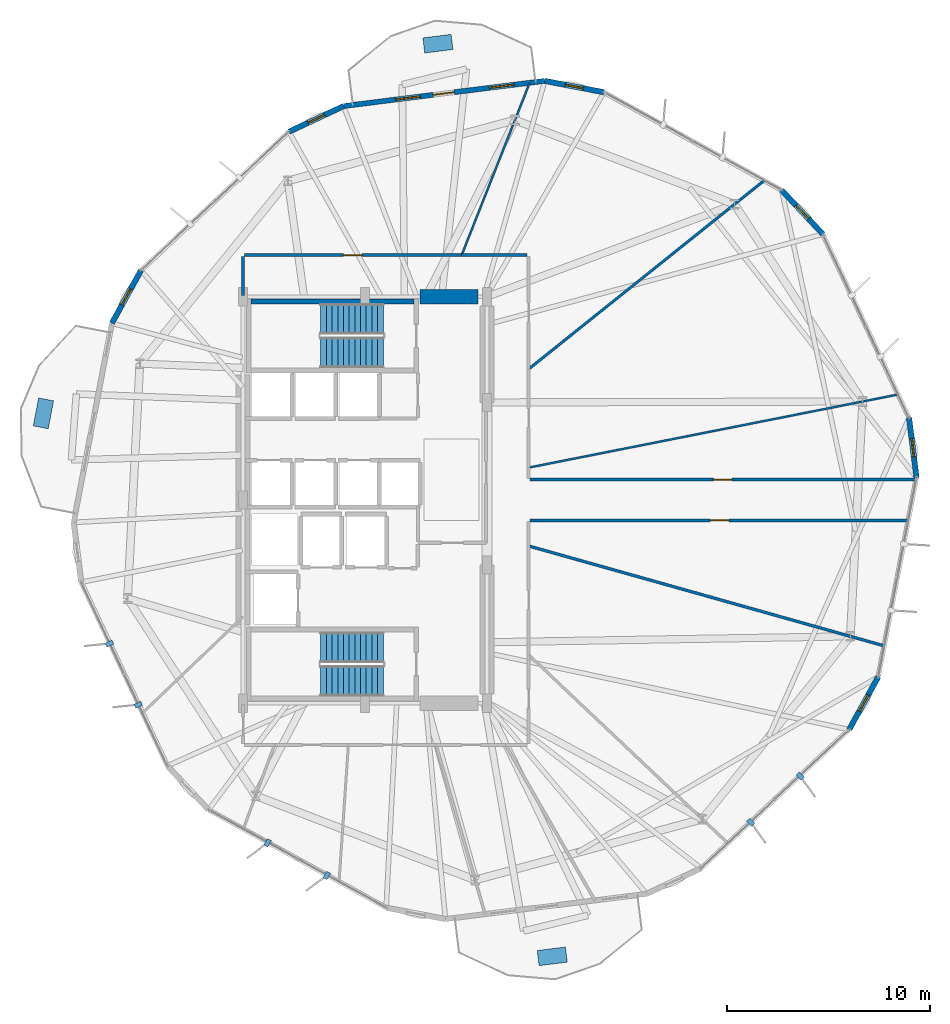
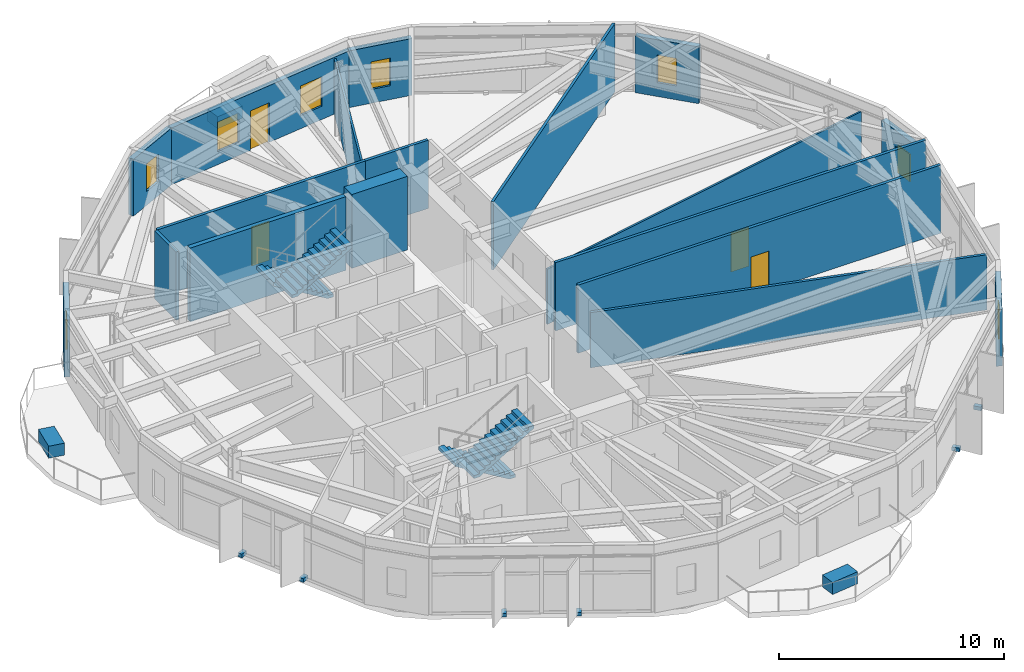
# One storey, part 18 of 22: 18 walls, 9 discrete accessories, 8 windows, 4 doors, 4 stair flights, 12 openings, 2 elements without a shape of their own.
"""IFC4 building model written with IfcOpenShell, lengths in metres."""

import ifcopenshell
import ifcopenshell.guid

model = None  # the IFC model being written
_history = None  # IfcOwnerHistory: only IFC2X3 demands one
_inside = {}  # id of a spatial element -> (the spatial element, [elements in it])
_under = {}  # id of a project, library or spatial element -> (it, [spatial elements below it])
_declared = {}  # id of a project -> (the project, [libraries it declares])
_typed = {}  # id of a type object -> (the type object, [elements of that type])
_made_of = {}  # id of a material, layer set ... -> (it, [elements and type objects made of it])


def new_model(schema):
    """Start an empty IFC model of exactly this schema.

    Asked for "IFC4X3", IfcOpenShell would pick the latest addendum, in which some entities
    have other attributes; the version numbers below select the first issue.
    IFC2X3 requires an IfcOwnerHistory on every rooted entity: one is made here for all.
    """
    global model, _history
    if schema == "IFC4X3":
        model = ifcopenshell.file(schema_version=(4, 3, 0, 0))
    else:
        model = ifcopenshell.file(schema=schema)
    _inside.clear()
    _under.clear()
    _declared.clear()
    _typed.clear()
    _made_of.clear()
    _history = None
    if model.schema == "IFC2X3":
        org = make("IfcOrganization", Name="unknown")
        user = make(
            "IfcPersonAndOrganization",
            ThePerson=make("IfcPerson", FamilyName="unknown"),
            TheOrganization=org,
        )
        app = make(
            "IfcApplication",
            ApplicationDeveloper=org,
            Version="unknown",
            ApplicationFullName="unknown",
            ApplicationIdentifier="unknown",
        )
        _history = make(
            "IfcOwnerHistory",
            OwningUser=user,
            OwningApplication=app,
            ChangeAction="ADDED",
            CreationDate=0,
        )
    return model


def make(cls, **values):
    """One entity of the class cls with the attributes given. An attribute that is None is left unset."""
    return model.create_entity(
        cls, **{name: value for name, value in values.items() if value is not None}
    )


def rooted(cls, **values):
    """An entity with a GlobalId (a new one), such as an element, a storey or a relation."""
    return make(cls, GlobalId=ifcopenshell.guid.new(), OwnerHistory=_history, **values)


def si_unit(unit_type, name, prefix=None):
    """IfcSIUnit, for example si_unit("LENGTHUNIT", "METRE", prefix="MILLI")."""
    return make("IfcSIUnit", UnitType=unit_type, Prefix=prefix, Name=name)


def assignment(units):
    """IfcUnitAssignment: the units of a project."""
    return None if units is None else make("IfcUnitAssignment", Units=units)


def point(xyz):
    """IfcCartesianPoint."""
    return None if xyz is None else make("IfcCartesianPoint", Coordinates=xyz)


def direction(xyz):
    """IfcDirection."""
    return None if xyz is None else make("IfcDirection", DirectionRatios=xyz)


def frame(location, z_axis=None, x_axis=None):
    """IfcAxis2Placement3D, a coordinate frame: its origin and axes. An axis left out is left unset."""
    return make(
        "IfcAxis2Placement3D",
        Location=point(location),
        Axis=direction(z_axis),
        RefDirection=direction(x_axis),
    )


def frame_2d(location, x_axis=None):
    """IfcAxis2Placement2D, a coordinate frame in the plane: its origin and x axis."""
    return make(
        "IfcAxis2Placement2D", Location=point(location), RefDirection=direction(x_axis)
    )


def origin():
    """The frame at (0, 0, 0) with its axes left unset."""
    return frame((0.0, 0.0, 0.0))


def origin_2d():
    """The frame at (0, 0) in the plane with its x axis left unset."""
    return frame_2d((0.0, 0.0))


def place(relative_to, where):
    """IfcLocalPlacement: puts the frame where relative to a parent placement (None: the world)."""
    return make(
        "IfcLocalPlacement", PlacementRelTo=relative_to, RelativePlacement=where
    )


def context(
    kind, dimensions, precision=None, world=None, true_north=None, identifier=None
):
    """IfcGeometricRepresentationContext, for example the 3D "Model" context."""
    return make(
        "IfcGeometricRepresentationContext",
        ContextIdentifier=identifier,
        ContextType=kind,
        CoordinateSpaceDimension=dimensions,
        Precision=precision,
        WorldCoordinateSystem=world,
        TrueNorth=true_north,
    )


def subcontext(parent, identifier, kind, view, scale=None):
    """IfcGeometricRepresentationSubContext, for example "Body" below "Model"."""
    return make(
        "IfcGeometricRepresentationSubContext",
        ContextIdentifier=identifier,
        ContextType=kind,
        ParentContext=parent,
        TargetScale=scale,
        TargetView=view,
    )


def project(units=None, contexts=None):
    """IfcProject with its units and contexts."""
    return rooted(
        "IfcProject",
        Name="project",
        RepresentationContexts=contexts,
        UnitsInContext=assignment(units),
    )


def spatial(cls, under=None, at=None, **own):
    """A site, building, storey or space (cls), placed at a placement, below another one or the project."""
    s = rooted(cls, ObjectPlacement=at, **own)
    if under is not None:
        _under.setdefault(under.id(), (under, []))[1].append(s)
    return s


def polyline(points):
    """IfcPolyline through the points."""
    return make("IfcPolyline", Points=[point(p) for p in points])


def profile(cls, at=None, kind="AREA", **sizes):
    """A parametric profile (cls). Its sizes go by their IFC names, for example OverallWidth=200.0."""
    return make(cls, ProfileType=kind, Position=at, **sizes)


def rectangle(**sizes):
    """IfcRectangleProfileDef."""
    return profile("IfcRectangleProfileDef", **sizes)


def outline(outer, holes=None, kind="AREA"):
    """IfcArbitraryClosedProfileDef: a profile drawn as a closed curve; with holes, ...WithVoids."""
    if holes is None:
        return make("IfcArbitraryClosedProfileDef", ProfileType=kind, OuterCurve=outer)
    return make(
        "IfcArbitraryProfileDefWithVoids",
        ProfileType=kind,
        OuterCurve=outer,
        InnerCurves=holes,
    )


def extrude(swept, where, along, depth):
    """IfcExtrudedAreaSolid: the profile swept, set in the frame where, extruded along a direction by depth."""
    return make(
        "IfcExtrudedAreaSolid",
        SweptArea=swept,
        Position=where,
        ExtrudedDirection=direction(along),
        Depth=depth,
    )


def shape(context_of_items, identifier, shape_type, items):
    """IfcShapeRepresentation: the items that make up one representation, for example the "Body"."""
    return make(
        "IfcShapeRepresentation",
        ContextOfItems=context_of_items,
        RepresentationIdentifier=identifier,
        RepresentationType=shape_type,
        Items=items,
    )


def material(Name=None, Category=None):
    """IfcMaterial."""
    return make("IfcMaterial", Name=Name, Category=Category)


def layer(
    of_material, thickness, ventilated=None, Name=None, Category=None, Priority=None
):
    """IfcMaterialLayer: one layer of a wall or slab, of a material (None: an air gap)."""
    return make(
        "IfcMaterialLayer",
        Material=of_material,
        LayerThickness=thickness,
        IsVentilated=ventilated,
        Name=Name,
        Category=Category,
        Priority=Priority,
    )


def layer_set(layers, Name=None):
    """IfcMaterialLayerSet."""
    return make("IfcMaterialLayerSet", MaterialLayers=layers, LayerSetName=Name)


def made_of(thing, what):
    """Note that an element or type object is made of a material, layer set ...; save() writes the relation."""
    if what is not None:
        _made_of.setdefault(what.id(), (what, []))[1].append(thing)
    return thing


def type_object(cls, material=None, **own):
    """A type object (cls), such as IfcWallType, which elements share."""
    return made_of(rooted(cls, **own), material)


def element(
    cls,
    number,
    at=None,
    inside=None,
    cuts=None,
    type_object=None,
    material=None,
    context=None,
    identifier="Body",
    shape_type=None,
    held_by="IfcProductDefinitionShape",
    body=None,
    shapes=None,
    **own,
):
    """One element of the class cls, such as IfcWall. Its Tag is "e" and its number.

    at: its placement. inside: the storey or other place that contains it. cuts: it is an
    opening in that element (IfcRelVoidsElement). A single representation is given by context,
    identifier, shape_type and body (its items); several are given by shapes. held_by: the class
    of the entity that holds the representations. save() writes the other relations.
    """
    e = rooted(cls, Tag="e%d" % number, ObjectPlacement=at, **own)
    if body is not None:
        shapes = [shape(context, identifier, shape_type, body)]
    if shapes is not None:
        e.Representation = make(held_by, Representations=shapes)
    if inside is not None:
        _inside.setdefault(inside.id(), (inside, []))[1].append(e)
    if cuts is not None:
        rooted(
            "IfcRelVoidsElement", RelatingBuildingElement=cuts, RelatedOpeningElement=e
        )
    if type_object is not None:
        _typed.setdefault(type_object.id(), (type_object, []))[1].append(e)
    return made_of(e, material)


def fill(opening, filler):
    """IfcRelFillsElement: the door or window that sits in an opening."""
    return rooted(
        "IfcRelFillsElement",
        RelatingOpeningElement=opening,
        RelatedBuildingElement=filler,
    )


def aggregate(whole, parts):
    """IfcRelAggregates: a whole, such as a stair, and the parts it consists of."""
    return rooted("IfcRelAggregates", RelatingObject=whole, RelatedObjects=parts)


def save(model, path):
    """Write the relations noted so far, then the file.

    IfcRelAggregates (storeys below a building ...), IfcRelContainedInSpatialStructure (elements
    in a storey), IfcRelDefinesByType, IfcRelAssociatesMaterial and IfcRelDeclares: one each for
    every whole, place, type object, material and project.
    """
    for whole, parts in _under.values():
        aggregate(whole, parts)
    for where, things in _inside.values():
        rooted(
            "IfcRelContainedInSpatialStructure",
            RelatedElements=things,
            RelatingStructure=where,
        )
    for kind, things in _typed.values():
        rooted("IfcRelDefinesByType", RelatedObjects=things, RelatingType=kind)
    for what, things in _made_of.values():
        rooted("IfcRelAssociatesMaterial", RelatedObjects=things, RelatingMaterial=what)
    for by, libraries in _declared.values():
        rooted("IfcRelDeclares", RelatingContext=by, RelatedDefinitions=libraries)
    model.write(path)


model = new_model("IFC4")

# Units and contexts
model_context = context("Model", 3, precision=1e-05, world=origin(), true_north=direction((0.0, 1.0)))
body_context = subcontext(model_context, "Body", "Model", "MODEL_VIEW")
ifc_project = project(units=[si_unit("LENGTHUNIT", "METRE"), si_unit("AREAUNIT", "SQUARE_METRE"), si_unit("VOLUMEUNIT", "CUBIC_METRE"), si_unit("PLANEANGLEUNIT", "RADIAN"), si_unit("MASSUNIT", "GRAM", prefix="KILO")], contexts=[model_context])

# Site, building, storey
site_placement = place(None, origin())
site = spatial("IfcSite", under=ifc_project, at=site_placement, CompositionType="ELEMENT")
building_placement = place(site_placement, origin())
building = spatial("IfcBuilding", under=site, at=building_placement, Name="Soratama Intermodal Tower", CompositionType="ELEMENT")
storey_placement = place(building_placement, frame((0.0, 0.0, 54.60009765625)))
storey = spatial("IfcBuildingStorey", under=building, at=storey_placement, Name="L12", CompositionType="ELEMENT", Elevation=54.60009765625)

# Wall, openings, door, windows
ifc_material_1 = material(Name="Concrete f'c 42 MPa", Category="concrete")
ifc_layer_1 = layer(ifc_material_1, 0.25)
ifc_layer_set_1 = layer_set([ifc_layer_1], Name="Concrete f'c 42 MPa")
wall_type_1 = type_object("IfcWallType", Name="EW-BAL-250", PredefinedType="SOLIDWALL", material=ifc_layer_set_1)
wall_1_placement = place(storey_placement, frame((47.445556640625, 45.6201171875, 0.0), z_axis=(0.0, 0.0, 1.0), x_axis=(-0.992243587308, -0.124308742439, 0.0)))
wall_1 = element("IfcWall", 1, at=wall_1_placement, inside=storey, type_object=wall_type_1, Name="L12 Terrace Wall F03", PredefinedType="SOLIDWALL", context=body_context, shape_type="SweptSolid", body=[
    extrude(rectangle(XDim=9.97900390625, YDim=0.25, at=frame_2d((4.989501953125, 0.0))), origin(), (0.0, 0.0, 1.0), 3.078857421875),
])
opening_1_placement = place(wall_1_placement, frame((4.489501953125, 0.0, 0.0)))
opening_1 = element("IfcOpeningElement", 2, at=opening_1_placement, cuts=wall_1, Name="Opening ED-5", PredefinedType="OPENING", context=body_context, shape_type="SweptSolid", body=[
    extrude(rectangle(XDim=1.050048828125, YDim=2.14990234375, at=frame_2d((0.52490234375, 1.074951171875))), frame((0.0, 0.135009765625, 0.0), z_axis=(0.0, -1.0, 0.0), x_axis=(1.0, 0.0, 0.0)), (0.0, 0.0, 1.0), 0.27001953125),
])
opening_2_placement = place(wall_1_placement, frame((1.544921875, 0.0, 0.719970703125)))
opening_2 = element("IfcOpeningElement", 3, at=opening_2_placement, cuts=wall_1, Name="Opening WN-2", PredefinedType="OPENING", context=body_context, shape_type="SweptSolid", body=[
    extrude(rectangle(XDim=1.199951171875, YDim=1.60009765625, at=frame_2d((0.60009765625, 0.800048828125))), frame((0.0, 0.135009765625, 0.0), z_axis=(0.0, -1.0, 0.0), x_axis=(1.0, 0.0, 0.0)), (0.0, 0.0, 1.0), 0.27001953125),
])
opening_3_placement = place(wall_1_placement, frame((6.179443359375, 0.0, 0.719970703125)))
opening_3 = element("IfcOpeningElement", 4, at=opening_3_placement, cuts=wall_1, Name="Opening WN-2", PredefinedType="OPENING", context=body_context, shape_type="SweptSolid", body=[
    extrude(rectangle(XDim=1.199951171875, YDim=1.60009765625, at=frame_2d((0.60009765625, 0.800048828125))), frame((0.0, 0.135009765625, 0.0), z_axis=(0.0, -1.0, 0.0), x_axis=(1.0, 0.0, 0.0)), (0.0, 0.0, 1.0), 0.27001953125),
])
ifc_material_2 = material(Name="Double-glazed aluminium door", Category="aluminium")
door_type_1 = type_object("IfcDoorType", Name="DR-BAL-1050", OperationType="NOTDEFINED", PredefinedType="DOOR", material=ifc_material_2)
door_1_placement = place(opening_1_placement, origin())
door_1 = element("IfcDoor", 5, at=door_1_placement, inside=storey, type_object=door_type_1, Name="L12 Balcony Door F03", OperationType="SINGLE_SWING_LEFT", OverallHeight=2.14990234375, OverallWidth=1.050048828125, PredefinedType="DOOR", context=body_context, shape_type="SweptSolid", body=[
    extrude(rectangle(XDim=1.050048828125, YDim=2.14990234375, at=frame_2d((0.52490234375, 1.074951171875))), frame((0.0, 0.02490234375, 0.0), z_axis=(0.0, -1.0, 0.0), x_axis=(1.0, 0.0, 0.0)), (0.0, 0.0, 1.0), 0.050048828125),
])
fill(opening_1, door_1)
ifc_material_3 = material(Name="Double-glazed aluminium window", Category="aluminium")
window_type_1 = type_object("IfcWindowType", Name="WN-FAC-1200", PartitioningType="SINGLE_PANEL", PredefinedType="WINDOW", material=ifc_material_3)
window_1_placement = place(opening_2_placement, origin())
window_1 = element("IfcWindow", 6, at=window_1_placement, inside=storey, type_object=window_type_1, Name="L12 Window A F03", OverallHeight=1.60009765625, OverallWidth=1.199951171875, PartitioningType="SINGLE_PANEL", PredefinedType="WINDOW", context=body_context, shape_type="SweptSolid", body=[
    extrude(rectangle(XDim=1.199951171875, YDim=1.60009765625, at=frame_2d((0.60009765625, 0.800048828125))), frame((0.0, 0.030029296875, 0.0), z_axis=(0.0, -1.0, 0.0), x_axis=(1.0, 0.0, 0.0)), (0.0, 0.0, 1.0), 0.06005859375),
])
fill(opening_2, window_1)
window_2_placement = place(opening_3_placement, origin())
window_2 = element("IfcWindow", 7, at=window_2_placement, inside=storey, type_object=window_type_1, Name="L12 Window B F03", OverallHeight=1.60009765625, OverallWidth=1.199951171875, PartitioningType="SINGLE_PANEL", PredefinedType="WINDOW", context=body_context, shape_type="SweptSolid", body=[
    extrude(rectangle(XDim=1.199951171875, YDim=1.60009765625, at=frame_2d((0.60009765625, 0.800048828125))), frame((0.0, 0.030029296875, 0.0), z_axis=(0.0, -1.0, 0.0), x_axis=(1.0, 0.0, 0.0)), (0.0, 0.0, 1.0), 0.06005859375),
])
fill(opening_3, window_2)

# Wall, opening, window
ifc_material_4 = material(Name="Concrete f'c 42 MPa", Category="concrete")
ifc_layer_2 = layer(ifc_material_4, 0.27001953125)
ifc_layer_set_2 = layer_set([ifc_layer_2], Name="Concrete f'c 42 MPa")
wall_type_2 = type_object("IfcWallType", Name="EW-CRN-270", PredefinedType="SOLIDWALL", material=ifc_layer_set_2)
wall_2_placement = place(storey_placement, frame((61.127197265625, 38.079833984375, 0.0), z_axis=(0.0, 0.0, 1.0), x_axis=(-0.683815190571, 0.729655250885, 0.0)))
wall_2 = element("IfcWall", 8, at=wall_2_placement, inside=storey, type_object=wall_type_2, Name="L12 Corner Closure Wall 01", PredefinedType="SOLIDWALL", context=body_context, shape_type="SweptSolid", body=[
    extrude(rectangle(XDim=2.966552734375, YDim=0.27001953125, at=frame_2d((1.4833984375, 0.0))), origin(), (0.0, 0.0, 1.0), 3.078857421875),
])
opening_4_placement = place(wall_2_placement, frame((1.033203125, 0.0, 0.75)))
opening_4 = element("IfcOpeningElement", 9, at=opening_4_placement, cuts=wall_2, Name="Opening WN-6", PredefinedType="OPENING", context=body_context, shape_type="SweptSolid", body=[
    extrude(rectangle(XDim=0.89990234375, YDim=1.5, at=frame_2d((0.449951171875, 0.75))), frame((0.0, 0.14501953125, 0.0), z_axis=(0.0, -1.0, 0.0), x_axis=(1.0, 0.0, 0.0)), (0.0, 0.0, 1.0), 0.2900390625),
])
ifc_material_5 = material(Name="Double-glazed aluminium window", Category="aluminium")
window_type_2 = type_object("IfcWindowType", Name="WN-FAC-900", PartitioningType="SINGLE_PANEL", PredefinedType="WINDOW", material=ifc_material_5)
window_3_placement = place(opening_4_placement, origin())
window_3 = element("IfcWindow", 10, at=window_3_placement, inside=storey, type_object=window_type_2, Name="L12 Corner Window 01", OverallHeight=1.5, OverallWidth=0.89990234375, PartitioningType="SINGLE_PANEL", PredefinedType="WINDOW", context=body_context, shape_type="SweptSolid", body=[
    extrude(rectangle(XDim=0.89990234375, YDim=1.5, at=frame_2d((0.449951171875, 0.75))), frame((0.0, 0.030029296875, 0.0), z_axis=(0.0, -1.0, 0.0), x_axis=(1.0, 0.0, 0.0)), (0.0, 0.0, 1.0), 0.06005859375),
])
fill(opening_4, window_3)

wall_3_placement = place(storey_placement, frame((50.35888671875, 45.061279296875, 0.0), z_axis=(0.0, 0.0, 1.0), x_axis=(-0.982094979425, 0.188386441624, 0.0)))
wall_3 = element("IfcWall", 11, at=wall_3_placement, inside=storey, type_object=wall_type_2, Name="L12 Corner Closure Wall 02", PredefinedType="SOLIDWALL", context=body_context, shape_type="SweptSolid", body=[
    extrude(rectangle(XDim=2.966552734375, YDim=0.27001953125, at=frame_2d((1.4833984375, 0.0))), origin(), (0.0, 0.0, 1.0), 3.078857421875),
])
opening_5_placement = place(wall_3_placement, frame((1.033203125, 0.0, 0.75)))
opening_5 = element("IfcOpeningElement", 12, at=opening_5_placement, cuts=wall_3, Name="Opening WN-6", PredefinedType="OPENING", context=body_context, shape_type="SweptSolid", body=[
    extrude(rectangle(XDim=0.89990234375, YDim=1.5, at=frame_2d((0.449951171875, 0.75))), frame((0.0, 0.14501953125, 0.0), z_axis=(0.0, -1.0, 0.0), x_axis=(1.0, 0.0, 0.0)), (0.0, 0.0, 1.0), 0.2900390625),
])
window_4_placement = place(opening_5_placement, origin())
window_4 = element("IfcWindow", 13, at=window_4_placement, inside=storey, type_object=window_type_2, Name="L12 Corner Window 02", OverallHeight=1.5, OverallWidth=0.89990234375, PartitioningType="SINGLE_PANEL", PredefinedType="WINDOW", context=body_context, shape_type="SweptSolid", body=[
    extrude(rectangle(XDim=0.89990234375, YDim=1.5, at=frame_2d((0.449951171875, 0.75))), frame((0.0, 0.030029296875, 0.0), z_axis=(0.0, -1.0, 0.0), x_axis=(1.0, 0.0, 0.0)), (0.0, 0.0, 1.0), 0.06005859375),
])
fill(opening_5, window_4)

wall_4_placement = place(storey_placement, frame((37.5439453125, 44.379638671875, 0.0), z_axis=(0.0, 0.0, 1.0), x_axis=(-0.905276993573, -0.424821803711, 0.0)))
wall_4 = element("IfcWall", 14, at=wall_4_placement, inside=storey, type_object=wall_type_2, Name="L12 Corner Closure Wall 03", PredefinedType="SOLIDWALL", context=body_context, shape_type="SweptSolid", body=[
    extrude(rectangle(XDim=2.966552734375, YDim=0.27001953125, at=frame_2d((1.4833984375, 0.0))), origin(), (0.0, 0.0, 1.0), 3.078857421875),
])
opening_6_placement = place(wall_4_placement, frame((1.033203125, 0.0, 0.75)))
opening_6 = element("IfcOpeningElement", 15, at=opening_6_placement, cuts=wall_4, Name="Opening WN-6", PredefinedType="OPENING", context=body_context, shape_type="SweptSolid", body=[
    extrude(rectangle(XDim=0.89990234375, YDim=1.5, at=frame_2d((0.449951171875, 0.75))), frame((0.0, 0.14501953125, 0.0), z_axis=(0.0, -1.0, 0.0), x_axis=(1.0, 0.0, 0.0)), (0.0, 0.0, 1.0), 0.2900390625),
])
window_5_placement = place(opening_6_placement, origin())
window_5 = element("IfcWindow", 16, at=window_5_placement, inside=storey, type_object=window_type_2, Name="L12 Corner Window 03", OverallHeight=1.5, OverallWidth=0.89990234375, PartitioningType="SINGLE_PANEL", PredefinedType="WINDOW", context=body_context, shape_type="SweptSolid", body=[
    extrude(rectangle(XDim=0.89990234375, YDim=1.5, at=frame_2d((0.449951171875, 0.75))), frame((0.0, 0.030029296875, 0.0), z_axis=(0.0, -1.0, 0.0), x_axis=(1.0, 0.0, 0.0)), (0.0, 0.0, 1.0), 0.06005859375),
])
fill(opening_6, window_5)

wall_5_placement = place(storey_placement, frame((27.57666015625, 36.2958984375, 0.0), z_axis=(0.0, 0.0, 1.0), x_axis=(-0.482670458227, -0.875802048841, 0.0)))
wall_5 = element("IfcWall", 17, at=wall_5_placement, inside=storey, type_object=wall_type_2, Name="L12 Corner Closure Wall 04", PredefinedType="SOLIDWALL", context=body_context, shape_type="SweptSolid", body=[
    extrude(rectangle(XDim=2.966552734375, YDim=0.27001953125, at=frame_2d((1.4833984375, 0.0))), origin(), (0.0, 0.0, 1.0), 3.078857421875),
])
opening_7_placement = place(wall_5_placement, frame((1.033203125, 0.0, 0.75)))
opening_7 = element("IfcOpeningElement", 18, at=opening_7_placement, cuts=wall_5, Name="Opening WN-6", PredefinedType="OPENING", context=body_context, shape_type="SweptSolid", body=[
    extrude(rectangle(XDim=0.89990234375, YDim=1.5, at=frame_2d((0.449951171875, 0.75))), frame((0.0, 0.14501953125, 0.0), z_axis=(0.0, -1.0, 0.0), x_axis=(1.0, 0.0, 0.0)), (0.0, 0.0, 1.0), 0.2900390625),
])
window_6_placement = place(opening_7_placement, origin())
window_6 = element("IfcWindow", 19, at=window_6_placement, inside=storey, type_object=window_type_2, Name="L12 Corner Window 04", OverallHeight=1.5, OverallWidth=0.89990234375, PartitioningType="SINGLE_PANEL", PredefinedType="WINDOW", context=body_context, shape_type="SweptSolid", body=[
    extrude(rectangle(XDim=0.89990234375, YDim=1.5, at=frame_2d((0.449951171875, 0.75))), frame((0.0, 0.030029296875, 0.0), z_axis=(0.0, -1.0, 0.0), x_axis=(1.0, 0.0, 0.0)), (0.0, 0.0, 1.0), 0.06005859375),
])
fill(opening_7, window_6)

wall_6_placement = place(storey_placement, frame((62.42333984375, 13.7041015625, 0.0), z_axis=(0.0, 0.0, 1.0), x_axis=(0.482670458227, 0.875802048841, 0.0)))
wall_6 = element("IfcWall", 20, at=wall_6_placement, inside=storey, type_object=wall_type_2, Name="L12 Corner Closure Wall 09", PredefinedType="SOLIDWALL", context=body_context, shape_type="SweptSolid", body=[
    extrude(rectangle(XDim=2.966552734375, YDim=0.27001953125, at=frame_2d((1.4833984375, 0.0))), origin(), (0.0, 0.0, 1.0), 3.078857421875),
])
opening_8_placement = place(wall_6_placement, frame((1.033203125, 0.0, 0.75)))
opening_8 = element("IfcOpeningElement", 21, at=opening_8_placement, cuts=wall_6, Name="Opening WN-6", PredefinedType="OPENING", context=body_context, shape_type="SweptSolid", body=[
    extrude(rectangle(XDim=0.89990234375, YDim=1.5, at=frame_2d((0.449951171875, 0.75))), frame((0.0, 0.14501953125, 0.0), z_axis=(0.0, -1.0, 0.0), x_axis=(1.0, 0.0, 0.0)), (0.0, 0.0, 1.0), 0.2900390625),
])
window_7_placement = place(opening_8_placement, origin())
window_7 = element("IfcWindow", 22, at=window_7_placement, inside=storey, type_object=window_type_2, Name="L12 Corner Window 09", OverallHeight=1.5, OverallWidth=0.89990234375, PartitioningType="SINGLE_PANEL", PredefinedType="WINDOW", context=body_context, shape_type="SweptSolid", body=[
    extrude(rectangle(XDim=0.89990234375, YDim=1.5, at=frame_2d((0.449951171875, 0.75))), frame((0.0, 0.030029296875, 0.0), z_axis=(0.0, -1.0, 0.0), x_axis=(1.0, 0.0, 0.0)), (0.0, 0.0, 1.0), 0.06005859375),
])
fill(opening_8, window_7)

wall_7_placement = place(storey_placement, frame((65.7353515625, 26.1025390625, 0.0), z_axis=(0.0, 0.0, 1.0), x_axis=(-0.124267693531, 0.992248729072, 0.0)))
wall_7 = element("IfcWall", 23, at=wall_7_placement, inside=storey, type_object=wall_type_2, Name="L12 Corner Closure Wall 10", PredefinedType="SOLIDWALL", context=body_context, shape_type="SweptSolid", body=[
    extrude(rectangle(XDim=2.966552734375, YDim=0.27001953125, at=frame_2d((1.4833984375, 0.0))), origin(), (0.0, 0.0, 1.0), 3.078857421875),
])
opening_9_placement = place(wall_7_placement, frame((1.033203125, 0.0, 0.75)))
opening_9 = element("IfcOpeningElement", 24, at=opening_9_placement, cuts=wall_7, Name="Opening WN-6", PredefinedType="OPENING", context=body_context, shape_type="SweptSolid", body=[
    extrude(rectangle(XDim=0.89990234375, YDim=1.5, at=frame_2d((0.449951171875, 0.75))), frame((0.0, 0.14501953125, 0.0), z_axis=(0.0, -1.0, 0.0), x_axis=(1.0, 0.0, 0.0)), (0.0, 0.0, 1.0), 0.2900390625),
])
window_8_placement = place(opening_9_placement, origin())
window_8 = element("IfcWindow", 25, at=window_8_placement, inside=storey, type_object=window_type_2, Name="L12 Corner Window 10", OverallHeight=1.5, OverallWidth=0.89990234375, PartitioningType="SINGLE_PANEL", PredefinedType="WINDOW", context=body_context, shape_type="SweptSolid", body=[
    extrude(rectangle(XDim=0.89990234375, YDim=1.5, at=frame_2d((0.449951171875, 0.75))), frame((0.0, 0.030029296875, 0.0), z_axis=(0.0, -1.0, 0.0), x_axis=(1.0, 0.0, 0.0)), (0.0, 0.0, 1.0), 0.06005859375),
])
fill(opening_9, window_8)

# Wall, opening, door
ifc_material_6 = material(Name="Fire-rated gypsum stud partition", Category="concrete")
ifc_layer_3 = layer(ifc_material_6, 0.14990234375)
ifc_layer_set_3 = layer_set([ifc_layer_3], Name="Fire-rated gypsum stud partition")
wall_type_3 = type_object("IfcWallType", Name="IW-PART-R150", PredefinedType="PARTITIONING", material=ifc_layer_set_3)
wall_8_placement = place(storey_placement, frame((46.719970703125, 26.0, 0.0), z_axis=(0.0, 0.0, 1.0), x_axis=(1.0, 0.0, 0.0)))
wall_8 = element("IfcWall", 26, at=wall_8_placement, inside=storey, type_object=wall_type_3, Name="L12 Partition W-L12-TP001", PredefinedType="PARTITIONING", context=body_context, shape_type="SweptSolid", body=[
    extrude(rectangle(XDim=18.99609375, YDim=0.14990234375, at=frame_2d((9.498046875, 0.0))), origin(), (0.0, 0.0, 1.0), 3.699951171875),
])
opening_10_placement = place(wall_8_placement, frame((9.02294921875, 0.0, 0.0)))
opening_10 = element("IfcOpeningElement", 27, at=opening_10_placement, cuts=wall_8, Name="Opening ID-6", PredefinedType="OPENING", context=body_context, shape_type="SweptSolid", body=[
    extrude(rectangle(XDim=0.919921875, YDim=2.1201171875, at=frame_2d((0.4599609375, 1.06005859375))), frame((0.0, 0.0849609375, 0.0), z_axis=(0.0, -1.0, 0.0), x_axis=(1.0, 0.0, 0.0)), (0.0, 0.0, 1.0), 0.169921875),
])
ifc_material_7 = material(Name="Solid hardwood acoustic door", Category="wood")
door_type_2 = type_object("IfcDoorType", Name="DR-ROOM-920", OperationType="NOTDEFINED", PredefinedType="DOOR", material=ifc_material_7)
door_2_placement = place(opening_10_placement, origin())
door_2 = element("IfcDoor", 28, at=door_2_placement, inside=storey, type_object=door_type_2, Name="L12 Door D-L12-TP001", OperationType="SINGLE_SWING_RIGHT", OverallHeight=2.1201171875, OverallWidth=0.919921875, PredefinedType="DOOR", context=body_context, shape_type="SweptSolid", body=[
    extrude(rectangle(XDim=0.919921875, YDim=2.1201171875, at=frame_2d((0.4599609375, 1.06005859375))), frame((0.0, 0.02490234375, 0.0), z_axis=(0.0, -1.0, 0.0), x_axis=(1.0, 0.0, 0.0)), (0.0, 0.0, 1.0), 0.050048828125),
])
fill(opening_10, door_2)

wall_9_placement = place(storey_placement, frame((65.33203125, 24.0, 0.0), z_axis=(0.0, 0.0, 1.0), x_axis=(-1.0, 0.0, 0.0)))
wall_9 = element("IfcWall", 29, at=wall_9_placement, inside=storey, type_object=wall_type_3, Name="L12 Partition W-L12-TP002", PredefinedType="PARTITIONING", context=body_context, shape_type="SweptSolid", body=[
    extrude(rectangle(XDim=18.612060546875, YDim=0.14990234375, at=frame_2d((9.30615234375, 0.0))), origin(), (0.0, 0.0, 1.0), 3.699951171875),
])
opening_11_placement = place(wall_9_placement, frame((8.8310546875, 0.0, 0.0)))
opening_11 = element("IfcOpeningElement", 30, at=opening_11_placement, cuts=wall_9, Name="Opening ID-6", PredefinedType="OPENING", context=body_context, shape_type="SweptSolid", body=[
    extrude(rectangle(XDim=0.919921875, YDim=2.1201171875, at=frame_2d((0.4599609375, 1.06005859375))), frame((0.0, 0.0849609375, 0.0), z_axis=(0.0, -1.0, 0.0), x_axis=(1.0, 0.0, 0.0)), (0.0, 0.0, 1.0), 0.169921875),
])
door_3_placement = place(opening_11_placement, origin())
door_3 = element("IfcDoor", 31, at=door_3_placement, inside=storey, type_object=door_type_2, Name="L12 Door D-L12-TP002", OperationType="SINGLE_SWING_LEFT", OverallHeight=2.1201171875, OverallWidth=0.919921875, PredefinedType="DOOR", context=body_context, shape_type="SweptSolid", body=[
    extrude(rectangle(XDim=0.919921875, YDim=2.1201171875, at=frame_2d((0.4599609375, 1.06005859375))), frame((0.0, 0.02490234375, 0.0), z_axis=(0.0, -1.0, 0.0), x_axis=(1.0, 0.0, 0.0)), (0.0, 0.0, 1.0), 0.050048828125),
])
fill(opening_11, door_3)

wall_10_placement = place(storey_placement, frame((32.669921875, 37.050048828125, 0.0), z_axis=(0.0, 0.0, 1.0), x_axis=(1.0, 0.0, 0.0)))
wall_10 = element("IfcWall", 32, at=wall_10_placement, inside=storey, type_object=wall_type_3, Name="L12 Partition W-L12-TP007", PredefinedType="PARTITIONING", context=body_context, shape_type="SweptSolid", body=[
    extrude(rectangle(XDim=10.68603515625, YDim=0.14990234375, at=frame_2d((5.343017578125, 0.0))), origin(), (0.0, 0.0, 1.0), 3.699951171875),
])
opening_12_placement = place(wall_10_placement, frame((4.867919921875, 0.0, 0.0)))
opening_12 = element("IfcOpeningElement", 33, at=opening_12_placement, cuts=wall_10, Name="Opening ID-6", PredefinedType="OPENING", context=body_context, shape_type="SweptSolid", body=[
    extrude(rectangle(XDim=0.919921875, YDim=2.1201171875, at=frame_2d((0.4599609375, 1.06005859375))), frame((0.0, 0.0849609375, 0.0), z_axis=(0.0, -1.0, 0.0), x_axis=(1.0, 0.0, 0.0)), (0.0, 0.0, 1.0), 0.169921875),
])
door_4_placement = place(opening_12_placement, origin())
door_4 = element("IfcDoor", 34, at=door_4_placement, inside=storey, type_object=door_type_2, Name="L12 Door D-L12-TP003", OperationType="SINGLE_SWING_RIGHT", OverallHeight=2.1201171875, OverallWidth=0.919921875, PredefinedType="DOOR", context=body_context, shape_type="SweptSolid", body=[
    extrude(rectangle(XDim=0.919921875, YDim=2.1201171875, at=frame_2d((0.4599609375, 1.06005859375))), frame((0.0, 0.02490234375, 0.0), z_axis=(0.0, -1.0, 0.0), x_axis=(1.0, 0.0, 0.0)), (0.0, 0.0, 1.0), 0.050048828125),
])
fill(opening_12, door_4)

# Walls
wall_11_placement = place(storey_placement, frame((43.35595703125, 37.050048828125, 0.0), z_axis=(0.0, 0.0, 1.0), x_axis=(1.0, 0.0, 0.0)))
element("IfcWall", 35, at=wall_11_placement, inside=storey, type_object=wall_type_3, Name="L12 Partition W-L12-TP023", PredefinedType="PARTITIONING", context=body_context, shape_type="SweptSolid", body=[
    extrude(rectangle(XDim=3.22412109375, YDim=0.14990234375, at=frame_2d((1.612060546875, 0.0))), origin(), (0.0, 0.0, 1.0), 3.699951171875),
])
wall_12_placement = place(storey_placement, frame((32.60009765625, 35.070068359375, 0.0), z_axis=(0.0, 0.0, 1.0), x_axis=(0.0, 1.0, 0.0)))
element("IfcWall", 36, at=wall_12_placement, inside=storey, type_object=wall_type_3, Name="L12 Partition W-L12-TP026", PredefinedType="PARTITIONING", context=body_context, shape_type="SweptSolid", body=[
    extrude(rectangle(XDim=1.909912109375, YDim=0.14990234375, at=frame_2d((0.955078125, 0.0))), origin(), (0.0, 0.0, 1.0), 3.699951171875),
])
ifc_material_8 = material(Name="Fire-rated gypsum stud partition", Category="concrete")
ifc_layer_4 = layer(ifc_material_8, 0.10009765625)
ifc_layer_set_4 = layer_set([ifc_layer_4], Name="Fire-rated gypsum stud partition")
wall_type_4 = type_object("IfcWallType", Name="IW-PART-S100", PredefinedType="PARTITIONING", material=ifc_layer_set_4)
wall_13_placement = place(storey_placement, frame((46.64990234375, 26.593017578125, 0.0), z_axis=(0.0, 0.0, 1.0), x_axis=(0.980972403726, 0.194147220243, 0.0)))
element("IfcWall", 37, at=wall_13_placement, inside=storey, type_object=wall_type_4, Name="L12 Partition W-L12-TP003", PredefinedType="PARTITIONING", context=body_context, shape_type="SweptSolid", body=[
    extrude(rectangle(XDim=18.53173828125, YDim=0.10009765625, at=frame_2d((9.265869140625, 0.0))), origin(), (0.0, 0.0, 1.0), 2.994873046875),
])
wall_14_placement = place(storey_placement, frame((43.35595703125, 37.050048828125, 0.0), z_axis=(0.0, 0.0, 1.0), x_axis=(0.367142137272, 0.93016485154, 0.0)))
element("IfcWall", 38, at=wall_14_placement, inside=storey, type_object=wall_type_4, Name="L12 Partition W-L12-TP008", PredefinedType="PARTITIONING", context=body_context, shape_type="SweptSolid", body=[
    extrude(rectangle(XDim=9.113525390625, YDim=0.10009765625, at=frame_2d((4.556640625, 0.0))), origin(), (0.0, 0.0, 1.0), 2.994873046875),
])
ifc_material_9 = material(Name="Fire-rated gypsum stud partition", Category="concrete")
ifc_layer_5 = layer(ifc_material_9, 0.1298828125)
ifc_layer_set_5 = layer_set([ifc_layer_5], Name="Fire-rated gypsum stud partition")
wall_type_5 = type_object("IfcWallType", Name="IW-PART-S130", PredefinedType="PARTITIONING", material=ifc_layer_set_5)
wall_15_placement = place(storey_placement, frame((46.64990234375, 31.44189453125, 0.0), z_axis=(0.0, 0.0, 1.0), x_axis=(0.780793394116, 0.62478930505, 0.0)))
element("IfcWall", 39, at=wall_15_placement, inside=storey, type_object=wall_type_5, Name="L12 Partition W-L12-TP005", PredefinedType="PARTITIONING", context=body_context, shape_type="SweptSolid", body=[
    extrude(rectangle(XDim=14.84521484375, YDim=0.1298828125, at=frame_2d((7.422607421875, 0.0))), origin(), (0.0, 0.0, 1.0), 3.699951171875),
])
ifc_material_10 = material(Name="Fire-rated gypsum stud partition", Category="concrete")
ifc_layer_6 = layer(ifc_material_10, 0.139892578125)
ifc_layer_set_6 = layer_set([ifc_layer_6], Name="Fire-rated gypsum stud partition")
wall_type_6 = type_object("IfcWallType", Name="IW-PART-S140", PredefinedType="PARTITIONING", material=ifc_layer_set_6)
wall_16_placement = place(storey_placement, frame((46.64990234375, 22.738037109375, 0.0), z_axis=(0.0, 0.0, 1.0), x_axis=(0.962723116404, -0.270488818886, 0.0)))
element("IfcWall", 40, at=wall_16_placement, inside=storey, type_object=wall_type_6, Name="L12 Partition W-L12-TP004", PredefinedType="PARTITIONING", context=body_context, shape_type="SweptSolid", body=[
    extrude(rectangle(XDim=18.174560546875, YDim=0.139892578125, at=frame_2d((9.08740234375, 0.0))), origin(), (0.0, 0.0, 1.0), 2.994873046875),
])
ifc_material_11 = material(Name="Concrete f'c 56 MPa", Category="concrete")
ifc_layer_7 = layer(ifc_material_11, 0.699951171875)
ifc_layer_set_7 = layer_set([ifc_layer_7], Name="Concrete f'c 56 MPa")
wall_type_7 = type_object("IfcWallType", Name="SW-CORE-700", PredefinedType="SHEAR", material=ifc_layer_set_7)
wall_17_placement = place(storey_placement, frame((41.300048828125, 35.0, 0.0), z_axis=(0.0, 0.0, 1.0), x_axis=(1.0, 0.0, 0.0)))
element("IfcWall", 41, at=wall_17_placement, inside=storey, type_object=wall_type_7, Name="L12 Core Shear Wall CW-NE", PredefinedType="SHEAR", context=body_context, shape_type="SweptSolid", body=[
    extrude(rectangle(XDim=2.849853515625, YDim=0.699951171875, at=frame_2d((1.4248046875, 0.0))), origin(), (0.0, 0.0, 1.0), 4.0),
])
ifc_material_12 = material(Name="Concrete f'c 56 MPa", Category="concrete")
ifc_layer_8 = layer(ifc_material_12, 0.239990234375)
ifc_layer_set_8 = layer_set([ifc_layer_8], Name="Concrete f'c 56 MPa")
wall_type_8 = type_object("IfcWallType", Name="SW-STAIR-240", PredefinedType="SHEAR", material=ifc_layer_set_8)
wall_18_placement = place(storey_placement, frame((33.0, 34.77001953125, 0.0), z_axis=(0.0, 0.0, 1.0), x_axis=(1.0, 0.0, 0.0)))
element("IfcWall", 42, at=wall_18_placement, inside=storey, type_object=wall_type_8, Name="L12 ST-2 Shaft Shear Wall N", PredefinedType="SHEAR", context=body_context, shape_type="SweptSolid", body=[
    extrude(rectangle(XDim=8.0, YDim=0.239990234375, at=frame_2d((4.0, 0.0))), origin(), (0.0, 0.0, 1.0), 4.0),
])

# Stair, stair flights
ifc_material_13 = material(Name="Concrete f'c 42 MPa", Category="concrete")
stair_type = type_object("IfcStairType", Name="ST-CORE-DOGLEG", PredefinedType="HALF_TURN_STAIR", material=ifc_material_13)
stair_1_placement = place(storey_placement, origin())
stair_1 = element("IfcStair", 43, at=stair_1_placement, inside=storey, type_object=stair_type, Name="L12 ST-1", PredefinedType="HALF_TURN_STAIR")
ifc_material_14 = material(Name="Precast concrete f'c 40 MPa", Category="concrete")
ifc_layer_9 = layer(ifc_material_14, 0.199951171875)
ifc_layer_set_9 = layer_set([ifc_layer_9], Name="Precast concrete f'c 40 MPa")
stair_flight_type = type_object("IfcStairFlightType", Name="SF-FLIGHT-RC", PredefinedType="STRAIGHT", material=ifc_layer_set_9)
stair_flight_1_placement = place(storey_placement, frame((39.5, 17.75, 0.0), z_axis=(0.0, 0.0, 1.0), x_axis=(-1.0, 0.0, 0.0)))
stair_flight_1 = element("IfcStairFlight", 44, at=stair_flight_1_placement, type_object=stair_flight_type, Name="ST-1 flight 1", NumberOfRisers=12, NumberOfTreads=11, PredefinedType="STRAIGHT", RiserHeight=0.166666667, TreadLength=0.28, context=body_context, shape_type="SweptSolid", body=[
    extrude(outline(polyline([(0.0, 0.0), (0.0, 0.166748046875), (0.280029296875, 0.166748046875), (0.280029296875, 0.333251953125), (0.56005859375, 0.333251953125), (0.56005859375, 0.5), (0.840087890625, 0.5), (0.840087890625, 0.666748046875), (1.1201171875, 0.666748046875), (1.1201171875, 0.833251953125), (1.39990234375, 0.833251953125), (1.39990234375, 1.0), (1.679931640625, 1.0), (1.679931640625, 1.166748046875), (1.9599609375, 1.166748046875), (1.9599609375, 1.333251953125), (2.239990234375, 1.333251953125), (2.239990234375, 1.5), (2.52001953125, 1.5), (2.52001953125, 1.666748046875), (2.800048828125, 1.666748046875), (2.800048828125, 1.833251953125), (3.080078125, 1.833251953125), (3.080078125, 2.0), (3.080078125, 1.658935546875), (0.29296875, 0.0), (0.0, 0.0)])), frame((0.0, 0.75, 0.0), z_axis=(0.0, -1.0, 0.0), x_axis=(1.0, 0.0, 0.0)), (0.0, 0.0, 1.0), 1.5),
])
stair_flight_2_placement = place(storey_placement, frame((36.419921875, 16.10009765625, 2.0), z_axis=(0.0, 0.0, 1.0), x_axis=(1.0, 0.0, 0.0)))
stair_flight_2 = element("IfcStairFlight", 45, at=stair_flight_2_placement, type_object=stair_flight_type, Name="ST-1 flight 2", NumberOfRisers=12, NumberOfTreads=11, PredefinedType="STRAIGHT", RiserHeight=0.166666667, TreadLength=0.28, context=body_context, shape_type="SweptSolid", body=[
    extrude(outline(polyline([(0.0, 0.0), (0.0, 0.166748046875), (0.280029296875, 0.166748046875), (0.280029296875, 0.333251953125), (0.56005859375, 0.333251953125), (0.56005859375, 0.5), (0.840087890625, 0.5), (0.840087890625, 0.666748046875), (1.1201171875, 0.666748046875), (1.1201171875, 0.833251953125), (1.39990234375, 0.833251953125), (1.39990234375, 1.0), (1.679931640625, 1.0), (1.679931640625, 1.166748046875), (1.9599609375, 1.166748046875), (1.9599609375, 1.333251953125), (2.239990234375, 1.333251953125), (2.239990234375, 1.5), (2.52001953125, 1.5), (2.52001953125, 1.666748046875), (2.800048828125, 1.666748046875), (2.800048828125, 1.833251953125), (3.080078125, 1.833251953125), (3.080078125, 2.0), (3.080078125, 1.658935546875), (0.29296875, 0.0), (0.0, 0.0)])), frame((0.0, 0.75, 0.0), z_axis=(0.0, -1.0, 0.0), x_axis=(1.0, 0.0, 0.0)), (0.0, 0.0, 1.0), 1.5),
])
aggregate(stair_1, [stair_flight_1, stair_flight_2])

stair_2_placement = place(storey_placement, origin())
stair_2 = element("IfcStair", 46, at=stair_2_placement, inside=storey, type_object=stair_type, Name="L12 ST-2", PredefinedType="HALF_TURN_STAIR")
stair_flight_3_placement = place(storey_placement, frame((39.5, 33.89990234375, 0.0), z_axis=(0.0, 0.0, 1.0), x_axis=(-1.0, 0.0, 0.0)))
stair_flight_3 = element("IfcStairFlight", 47, at=stair_flight_3_placement, type_object=stair_flight_type, Name="ST-2 flight 1", NumberOfRisers=12, NumberOfTreads=11, PredefinedType="STRAIGHT", RiserHeight=0.166666667, TreadLength=0.28, context=body_context, shape_type="SweptSolid", body=[
    extrude(outline(polyline([(0.0, 0.0), (0.0, 0.166748046875), (0.280029296875, 0.166748046875), (0.280029296875, 0.333251953125), (0.56005859375, 0.333251953125), (0.56005859375, 0.5), (0.840087890625, 0.5), (0.840087890625, 0.666748046875), (1.1201171875, 0.666748046875), (1.1201171875, 0.833251953125), (1.39990234375, 0.833251953125), (1.39990234375, 1.0), (1.679931640625, 1.0), (1.679931640625, 1.166748046875), (1.9599609375, 1.166748046875), (1.9599609375, 1.333251953125), (2.239990234375, 1.333251953125), (2.239990234375, 1.5), (2.52001953125, 1.5), (2.52001953125, 1.666748046875), (2.800048828125, 1.666748046875), (2.800048828125, 1.833251953125), (3.080078125, 1.833251953125), (3.080078125, 2.0), (3.080078125, 1.658935546875), (0.29296875, 0.0), (0.0, 0.0)])), frame((0.0, 0.75, 0.0), z_axis=(0.0, -1.0, 0.0), x_axis=(1.0, 0.0, 0.0)), (0.0, 0.0, 1.0), 1.5),
])
stair_flight_4_placement = place(storey_placement, frame((36.419921875, 32.25, 2.0), z_axis=(0.0, 0.0, 1.0), x_axis=(1.0, 0.0, 0.0)))
stair_flight_4 = element("IfcStairFlight", 48, at=stair_flight_4_placement, type_object=stair_flight_type, Name="ST-2 flight 2", NumberOfRisers=12, NumberOfTreads=11, PredefinedType="STRAIGHT", RiserHeight=0.166666667, TreadLength=0.28, context=body_context, shape_type="SweptSolid", body=[
    extrude(outline(polyline([(0.0, 0.0), (0.0, 0.166748046875), (0.280029296875, 0.166748046875), (0.280029296875, 0.333251953125), (0.56005859375, 0.333251953125), (0.56005859375, 0.5), (0.840087890625, 0.5), (0.840087890625, 0.666748046875), (1.1201171875, 0.666748046875), (1.1201171875, 0.833251953125), (1.39990234375, 0.833251953125), (1.39990234375, 1.0), (1.679931640625, 1.0), (1.679931640625, 1.166748046875), (1.9599609375, 1.166748046875), (1.9599609375, 1.333251953125), (2.239990234375, 1.333251953125), (2.239990234375, 1.5), (2.52001953125, 1.5), (2.52001953125, 1.666748046875), (2.800048828125, 1.666748046875), (2.800048828125, 1.833251953125), (3.080078125, 1.833251953125), (3.080078125, 2.0), (3.080078125, 1.658935546875), (0.29296875, 0.0), (0.0, 0.0)])), frame((0.0, 0.75, 0.0), z_axis=(0.0, -1.0, 0.0), x_axis=(1.0, 0.0, 0.0)), (0.0, 0.0, 1.0), 1.5),
])
aggregate(stair_2, [stair_flight_3, stair_flight_4])

# Discrete accessories
ifc_material_15 = material(Name="Structural steel ASTM A992 Grade 50", Category="steel")
discrete_accessory_type_1 = type_object("IfcDiscreteAccessoryType", Name="AC-FIN-BRACKET", PredefinedType="BRACKET", material=ifc_material_15)
for number, where, z_axis, x_axis, name in (
    (49, (26.0283203125, 17.93408203125, -0.080078125), (0.0, 0.0, 1.0), (-0.905272431289, -0.424831525605, 0.0), "L12 Fin Bracket F06-1"),
    (50, (27.441650390625, 14.9228515625, -0.080078125), (0.0, 0.0, 1.0), (-0.905272431289, -0.424831525605, 0.0), "L12 Fin Bracket F06-2"),
    (51, (33.804931640625, 8.13232421875, -0.080078125), (0.0, 0.0, 1.0), (-0.482671075992, -0.875801708379, 0.0), "L12 Fin Bracket F07-1"),
    (52, (36.718017578125, 6.52685546875, -0.080078125), (0.0, 0.0, 1.0), (-0.482671075992, -0.875801708379, 0.0), "L12 Fin Bracket F07-2"),
    (53, (57.58251953125, 9.140380859375, -0.080078125), (0.0, 0.0, 1.0), (0.683783356562, -0.729685083642, 0.0), "L12 Fin Bracket F09-1"),
    (54, (60.009765625, 11.4150390625, -0.080078125), (0.0, 0.0, 1.0), (0.683783356562, -0.729685083642, 0.0), "L12 Fin Bracket F09-2"),
):
    element("IfcDiscreteAccessory", number, at=place(storey_placement, frame(where, z_axis=z_axis, x_axis=x_axis)), inside=storey, type_object=discrete_accessory_type_1, Name=name, PredefinedType="BRACKET", context=body_context, shape_type="SweptSolid", body=[
        extrude(rectangle(XDim=0.360107421875, YDim=0.219970703125, at=origin_2d()), origin(), (0.0, 0.0, 1.0), 0.199951171875),
    ])
ifc_material_16 = material(Name="Precast concrete f'c 40 MPa", Category="concrete")
discrete_accessory_type_2 = type_object("IfcDiscreteAccessoryType", Name="AC-PLANTER-TREE", PredefinedType="USERDEFINED", material=ifc_material_16)
for number, where, z_axis, x_axis, name in (
    (55, (42.187744140625, 47.45068359375, 0.0), (0.0, 0.0, 1.0), (-0.124294224947, 0.992245405958, 0.0), "L12 Tree Planter 1"),
    (56, (22.779052734375, 29.262939453125, 0.0), (0.0, 0.0, 1.0), (-0.982090486912, 0.188409860458, 0.0), "L12 Tree Planter 2"),
    (57, (47.812255859375, 2.54931640625, 0.0), (0.0, 0.0, 1.0), (0.124294224947, -0.992245405958, 0.0), "L12 Tree Planter 3"),
):
    element("IfcDiscreteAccessory", number, at=place(storey_placement, frame(where, z_axis=z_axis, x_axis=x_axis)), inside=storey, type_object=discrete_accessory_type_2, Name=name, ObjectType="PLANTER", PredefinedType="USERDEFINED", context=body_context, shape_type="SweptSolid", body=[
        extrude(rectangle(XDim=0.75, YDim=1.39990234375, at=origin_2d()), origin(), (0.0, 0.0, 1.0), 0.64990234375),
    ])

save(model, "model.ifc")
